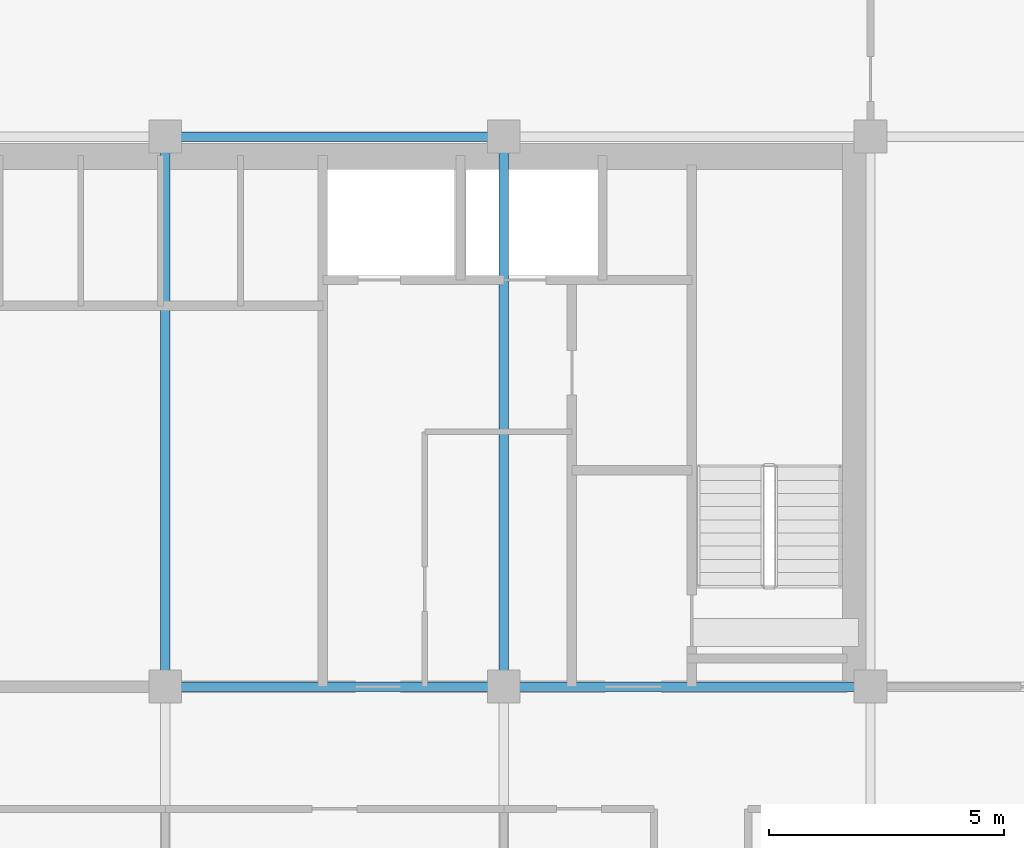
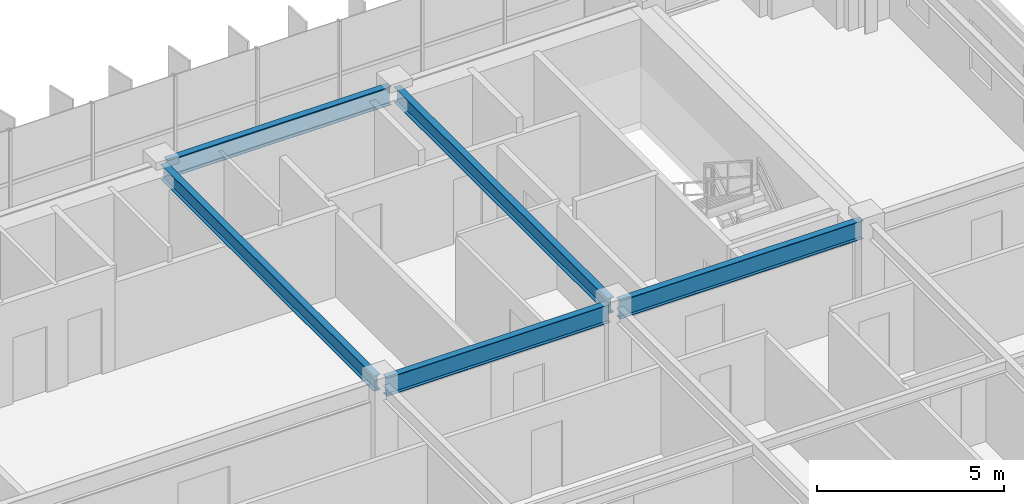
# One storey, part 8 of 20: 5 beams.
"""IFC4 building model written with IfcOpenShell, lengths in metres."""

from ifc_helpers import new_model, si_unit, direction, frame, origin, origin_2d, place, context, subcontext, project, spatial, i_section, extrude, source, transform, mapped, material, material_profile, profile_set, type_object, element, save


model = new_model("IFC4")

# Units and contexts
model_context = context("Model", 3, precision=1e-05, world=origin(), true_north=direction((0.0, 1.0)))
body_context = subcontext(model_context, "Body", "Model", "MODEL_VIEW")
ifc_project = project(units=[si_unit("LENGTHUNIT", "METRE"), si_unit("AREAUNIT", "SQUARE_METRE"), si_unit("VOLUMEUNIT", "CUBIC_METRE"), si_unit("PLANEANGLEUNIT", "RADIAN"), si_unit("MASSUNIT", "GRAM", prefix="KILO")], contexts=[model_context])

# Site, building, storey
site_placement = place(None, origin())
site = spatial("IfcSite", under=ifc_project, at=site_placement, CompositionType="ELEMENT")
building_placement = place(site_placement, origin())
building = spatial("IfcBuilding", under=site, at=building_placement, Name="Trelvane Seafront Commons", CompositionType="ELEMENT")
storey_placement = place(building_placement, frame((0.0, 0.0, 146.5)))
storey = spatial("IfcBuildingStorey", under=building, at=storey_placement, Name="L38", CompositionType="ELEMENT", Elevation=146.5)

# Beams
ifc_material = material(Name="Steel SM355 (S355)", Category="steel")
ifc_material_profile_1 = material_profile(ifc_material, i_section(OverallWidth=0.199951171875, OverallDepth=0.5, WebThickness=0.010009765625, FlangeThickness=0.01611328125, at=origin_2d()), Name="H-500x200x10x16")
ifc_profile_set_1 = profile_set([ifc_material_profile_1], Name="Steel SM355 (S355)")
beam_type_1 = type_object("IfcBeamType", Name="STR-BM-H500", PredefinedType="BEAM", material=ifc_profile_set_1)
shared_shape_1 = source(origin(), body_context, "Body", "SweptSolid", [
    extrude(i_section(OverallWidth=0.199951171875, OverallDepth=0.5, WebThickness=0.010009765625, FlangeThickness=0.01611328125, at=origin_2d()), origin(), (0.0, 0.0, 1.0), 11.39990234375),
])
for number, where, z_axis, x_axis, name in (
    (1, (43.800048828125, 33.550048828125, 3.10009765625), (0.0, 1.0, 0.0), (-1.0, 0.0, 0.0), "L38 Primary Girder G-43"),
    (2, (51.0, 33.550048828125, 3.10009765625), (0.0, 1.0, 0.0), (-1.0, 0.0, 0.0), "L38 Primary Girder G-46"),
):
    element("IfcBeam", number, at=place(storey_placement, frame(where, z_axis=z_axis, x_axis=x_axis)), inside=storey, type_object=beam_type_1, Name=name, PredefinedType="BEAM", context=body_context, shape_type="MappedRepresentation", body=[
        mapped(shared_shape_1, transform((0.0, 0.0, 0.0), x_axis=(1.0, 0.0, 0.0), y_axis=(0.0, 1.0, 0.0), z_axis=(0.0, 0.0, 1.0), scale=1.0)),
    ])
ifc_material_profile_2 = material_profile(ifc_material, i_section(OverallWidth=0.199951171875, OverallDepth=0.60009765625, WebThickness=0.010986328125, FlangeThickness=0.01708984375, at=origin_2d()), Name="H-600x200x11x17")
ifc_profile_set_2 = profile_set([ifc_material_profile_2], Name="Steel SM355 (S355)")
beam_type_2 = type_object("IfcBeamType", Name="STR-SPD-H600", PredefinedType="SPANDREL", material=ifc_profile_set_2)
shared_shape_2 = source(origin(), body_context, "Body", "SweptSolid", [
    extrude(i_section(OverallWidth=0.199951171875, OverallDepth=0.60009765625, WebThickness=0.010986328125, FlangeThickness=0.01708984375, at=origin_2d()), origin(), (0.0, 0.0, 1.0), 7.5),
])
beam_placement = place(storey_placement, frame((51.14990234375, 33.39990234375, 3.050048828125), z_axis=(1.0, 0.0, 0.0), x_axis=(0.0, 1.0, 0.0)))
element("IfcBeam", 3, at=beam_placement, inside=storey, type_object=beam_type_2, Name="L38 Primary Girder G-20", PredefinedType="SPANDREL", context=body_context, shape_type="MappedRepresentation", body=[
    mapped(shared_shape_2, transform((0.0, 0.0, 0.0), x_axis=(1.0, 0.0, 0.0), y_axis=(0.0, 1.0, 0.0), z_axis=(0.0, 0.0, 1.0), scale=1.0)),
])
shared_shape_3 = source(origin(), body_context, "Body", "SweptSolid", [
    extrude(i_section(OverallWidth=0.199951171875, OverallDepth=0.60009765625, WebThickness=0.010986328125, FlangeThickness=0.01708984375, at=origin_2d()), origin(), (0.0, 0.0, 1.0), 6.900146484375),
])
for number, where, z_axis, x_axis, name in (
    (4, (43.949951171875, 33.39990234375, 3.050048828125), (1.0, 0.0, 0.0), (0.0, 1.0, 0.0), "L38 Primary Girder G-19"),
    (5, (43.949951171875, 45.10009765625, 3.050048828125), (1.0, 0.0, 0.0), (0.0, 1.0, 0.0), "L38 Primary Girder G-26"),
):
    element("IfcBeam", number, at=place(storey_placement, frame(where, z_axis=z_axis, x_axis=x_axis)), inside=storey, type_object=beam_type_2, Name=name, PredefinedType="SPANDREL", context=body_context, shape_type="MappedRepresentation", body=[
        mapped(shared_shape_3, transform((0.0, 0.0, 0.0), x_axis=(1.0, 0.0, 0.0), y_axis=(0.0, 1.0, 0.0), z_axis=(0.0, 0.0, 1.0), scale=1.0)),
    ])

save(model, "model.ifc")
